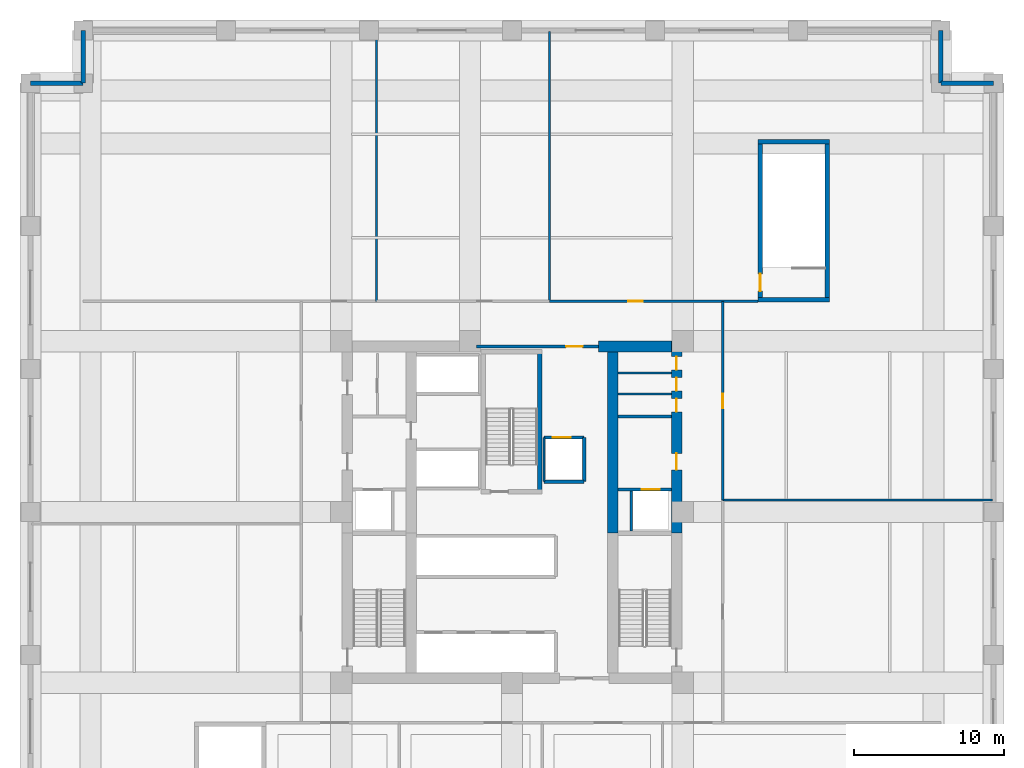
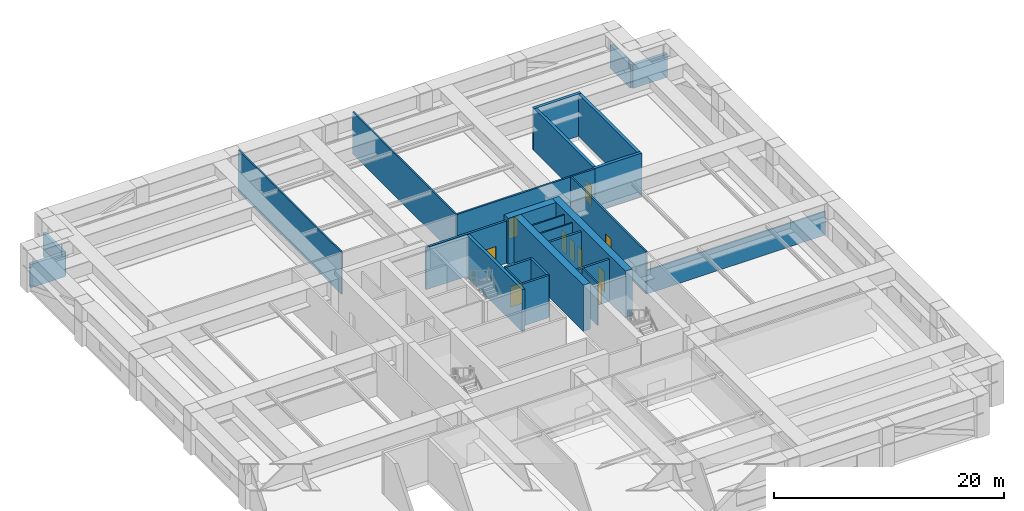
# One storey, part 4 of 8: 27 walls, 10 doors, 10 openings.
"""IFC4 building model written with IfcOpenShell, lengths in metres."""

from ifc_helpers import new_model, si_unit, direction, frame, frame_2d, origin, place, context, subcontext, project, spatial, rectangle, extrude, material, layer, layer_set, type_object, element, fill, save


model = new_model("IFC4")

# Units and contexts
model_context = context("Model", 3, precision=1e-05, world=origin(), true_north=direction((0.0, 1.0)))
body_context = subcontext(model_context, "Body", "Model", "MODEL_VIEW")
ifc_project = project(units=[si_unit("LENGTHUNIT", "METRE"), si_unit("AREAUNIT", "SQUARE_METRE"), si_unit("VOLUMEUNIT", "CUBIC_METRE"), si_unit("PLANEANGLEUNIT", "RADIAN"), si_unit("MASSUNIT", "GRAM", prefix="KILO")], contexts=[model_context])

# Site, building, storey
site_placement = place(None, origin())
site = spatial("IfcSite", under=ifc_project, at=site_placement, CompositionType="ELEMENT")
building_placement = place(site_placement, origin())
building = spatial("IfcBuilding", under=site, at=building_placement, Name="Nhamokura Convention Tower", CompositionType="ELEMENT")
storey_placement = place(building_placement, frame((0.0, 0.0, 29.39990234375)))
storey = spatial("IfcBuildingStorey", under=building, at=storey_placement, Name="L05", CompositionType="ELEMENT", Elevation=29.39990234375)

# Walls
ifc_material_1 = material(Name="Moisture-resistant tile-backer partition", Category="masonry")
ifc_layer_1 = layer(ifc_material_1, 0.139892578125)
ifc_layer_set_1 = layer_set([ifc_layer_1], Name="BathroomWetWall_140")
wall_type_1 = type_object("IfcWallType", Name="BathroomWetWall_140", PredefinedType="STANDARD", material=ifc_layer_set_1)
for number, where, z_axis, x_axis, name in (
    (1, (39.06005859375, 39.85009765625, 0.0), (0.0, 0.0, 1.0), (1.0, 0.0, 0.0), "L05 Wall INT-L05-CWNE1"),
    (2, (39.06005859375, 41.25, 0.0), (0.0, 0.0, 1.0), (1.0, 0.0, 0.0), "L05 Wall INT-L05-CWNE2"),
):
    element("IfcWall", number, at=place(storey_placement, frame(where, z_axis=z_axis, x_axis=x_axis)), inside=storey, type_object=wall_type_1, Name=name, PredefinedType="STANDARD", context=body_context, shape_type="SweptSolid", body=[
        extrude(rectangle(XDim=3.530029296875, YDim=0.139892578125, at=frame_2d((1.76513671875, 0.0))), origin(), (0.0, 0.0, 1.0), 4.47998046875),
    ])
ifc_material_2 = material(Name="Bronze-pigmented precast concrete C45/55", Category="concrete")
ifc_layer_2 = layer(ifc_material_2, 0.320068359375)
ifc_layer_set_2 = layer_set([ifc_layer_2], Name="BronzePrecastSpandrel_320")
wall_type_2 = type_object("IfcWallType", Name="BronzePrecastSpandrel_320", PredefinedType="USERDEFINED", material=ifc_layer_set_2)
for number, where, z_axis, x_axis, name in (
    (3, (60.5, 60.5, 0.0), (0.0, 0.0, 1.0), (1.0, 0.0, 0.0), "L05 Notched Corner Wall NE1"),
    (4, (60.5, 64.0, 0.0), (0.0, 0.0, 1.0), (0.0, -1.0, 0.0), "L05 Notched Corner Wall NE2"),
    (5, (3.5, 60.5, 0.0), (0.0, 0.0, 1.0), (0.0, 1.0, 0.0), "L05 Notched Corner Wall NW1"),
    (6, (0.0, 60.5, 0.0), (0.0, 0.0, 1.0), (1.0, 0.0, 0.0), "L05 Notched Corner Wall NW2"),
):
    element("IfcWall", number, at=place(storey_placement, frame(where, z_axis=z_axis, x_axis=x_axis)), inside=storey, type_object=wall_type_2, Name=name, ObjectType="SPANDREL_WALL", PredefinedType="USERDEFINED", context=body_context, shape_type="SweptSolid", body=[
        extrude(rectangle(XDim=3.5, YDim=0.320068359375, at=frame_2d((1.75, 0.0))), origin(), (0.0, 0.0, 1.0), 2.47998046875),
    ])

# Wall, openings, doors
ifc_material_3 = material(Name="Concrete C70/85", Category="concrete")
ifc_layer_3 = layer(ifc_material_3, 0.699951171875)
ifc_layer_set_3 = layer_set([ifc_layer_3], Name="CoreShearWall_700")
wall_type_3 = type_object("IfcWallType", Name="CoreShearWall_700", PredefinedType="SHEAR", material=ifc_layer_set_3)
wall_1_placement = place(storey_placement, frame((42.93994140625, 30.60009765625, 0.0), z_axis=(0.0, 0.0, 1.0), x_axis=(0.0, 1.0, 0.0)))
wall_1 = element("IfcWall", 7, at=wall_1_placement, inside=storey, type_object=wall_type_3, Name="L05 Core Shear Wall CW-EN", PredefinedType="SHEAR", context=body_context, shape_type="SweptSolid", body=[
    extrude(rectangle(XDim=12.75, YDim=0.699951171875, at=frame_2d((6.375, 0.0))), origin(), (0.0, 0.0, 1.0), 4.900146484375),
])
opening_1_placement = place(wall_1_placement, frame((4.199951171875, 0.0, 0.0)))
opening_1 = element("IfcOpeningElement", 8, at=opening_1_placement, cuts=wall_1, Name="Opening D-05", PredefinedType="OPENING", context=body_context, shape_type="SweptSolid", body=[
    extrude(rectangle(XDim=1.10009765625, YDim=2.14990234375, at=frame_2d((0.550048828125, 1.074951171875))), frame((0.0, 0.35986328125, 0.0), z_axis=(0.0, -1.0, 0.0), x_axis=(1.0, 0.0, 0.0)), (0.0, 0.0, 1.0), 0.719970703125),
])
opening_2_placement = place(wall_1_placement, frame((8.050048828125, 0.0, 0.0)))
opening_2 = element("IfcOpeningElement", 9, at=opening_2_placement, cuts=wall_1, Name="Opening D-11", PredefinedType="OPENING", context=body_context, shape_type="SweptSolid", body=[
    extrude(rectangle(XDim=0.8798828125, YDim=2.10009765625, at=frame_2d((0.43994140625, 1.050048828125))), frame((0.0, 0.35986328125, 0.0), z_axis=(0.0, -1.0, 0.0), x_axis=(1.0, 0.0, 0.0)), (0.0, 0.0, 1.0), 0.719970703125),
])
opening_3_placement = place(wall_1_placement, frame((9.449951171875, 0.0, 0.0)))
opening_3 = element("IfcOpeningElement", 10, at=opening_3_placement, cuts=wall_1, Name="Opening D-11", PredefinedType="OPENING", context=body_context, shape_type="SweptSolid", body=[
    extrude(rectangle(XDim=0.8798828125, YDim=2.10009765625, at=frame_2d((0.43994140625, 1.050048828125))), frame((0.0, 0.35986328125, 0.0), z_axis=(0.0, -1.0, 0.0), x_axis=(1.0, 0.0, 0.0)), (0.0, 0.0, 1.0), 0.719970703125),
])
opening_4_placement = place(wall_1_placement, frame((10.85009765625, 0.0, 0.0)))
opening_4 = element("IfcOpeningElement", 11, at=opening_4_placement, cuts=wall_1, Name="Opening D-11", PredefinedType="OPENING", context=body_context, shape_type="SweptSolid", body=[
    extrude(rectangle(XDim=0.8798828125, YDim=2.10009765625, at=frame_2d((0.43994140625, 1.050048828125))), frame((0.0, 0.35986328125, 0.0), z_axis=(0.0, -1.0, 0.0), x_axis=(1.0, 0.0, 0.0)), (0.0, 0.0, 1.0), 0.719970703125),
])
ifc_material_4 = material(Name="Solid oak hardwood", Category="wood")
door_type_1 = type_object("IfcDoorType", Name="BathroomDoor_880", OperationType="NOTDEFINED", PredefinedType="DOOR", material=ifc_material_4)
door_1_placement = place(opening_2_placement, origin())
door_1 = element("IfcDoor", 12, at=door_1_placement, inside=storey, type_object=door_type_1, Name="L05 Core Door INT-L05-D-MWC", OperationType="SINGLE_SWING_LEFT", OverallHeight=2.10009765625, OverallWidth=0.8798828125, PredefinedType="DOOR", context=body_context, shape_type="SweptSolid", body=[
    extrude(rectangle(XDim=0.8798828125, YDim=2.10009765625, at=frame_2d((0.43994140625, 1.050048828125))), frame((0.0, 0.02490234375, 0.0), z_axis=(0.0, -1.0, 0.0), x_axis=(1.0, 0.0, 0.0)), (0.0, 0.0, 1.0), 0.050048828125),
])
fill(opening_2, door_1)
door_2_placement = place(opening_3_placement, origin())
door_2 = element("IfcDoor", 13, at=door_2_placement, inside=storey, type_object=door_type_1, Name="L05 Core Door INT-L05-D-FWC", OperationType="SINGLE_SWING_RIGHT", OverallHeight=2.10009765625, OverallWidth=0.8798828125, PredefinedType="DOOR", context=body_context, shape_type="SweptSolid", body=[
    extrude(rectangle(XDim=0.8798828125, YDim=2.10009765625, at=frame_2d((0.43994140625, 1.050048828125))), frame((0.0, 0.02490234375, 0.0), z_axis=(0.0, -1.0, 0.0), x_axis=(1.0, 0.0, 0.0)), (0.0, 0.0, 1.0), 0.050048828125),
])
fill(opening_3, door_2)
door_3_placement = place(opening_4_placement, origin())
door_3 = element("IfcDoor", 14, at=door_3_placement, inside=storey, type_object=door_type_1, Name="L05 Core Door INT-L05-D-ARC", OperationType="SINGLE_SWING_LEFT", OverallHeight=2.10009765625, OverallWidth=0.8798828125, PredefinedType="DOOR", context=body_context, shape_type="SweptSolid", body=[
    extrude(rectangle(XDim=0.8798828125, YDim=2.10009765625, at=frame_2d((0.43994140625, 1.050048828125))), frame((0.0, 0.02490234375, 0.0), z_axis=(0.0, -1.0, 0.0), x_axis=(1.0, 0.0, 0.0)), (0.0, 0.0, 1.0), 0.050048828125),
])
fill(opening_4, door_3)
ifc_material_5 = material(Name="Fire-rated steel door", Category="steel")
door_type_2 = type_object("IfcDoorType", Name="FireLobbyDoor_1100", OperationType="NOTDEFINED", PredefinedType="DOOR", material=ifc_material_5)
door_4_placement = place(opening_1_placement, origin())
door_4 = element("IfcDoor", 15, at=door_4_placement, inside=storey, type_object=door_type_2, Name="L05 Core Door INT-L05-D-FFLE", OperationType="SINGLE_SWING_LEFT", OverallHeight=2.14990234375, OverallWidth=1.10009765625, PredefinedType="DOOR", context=body_context, shape_type="SweptSolid", body=[
    extrude(rectangle(XDim=1.10009765625, YDim=2.14990234375, at=frame_2d((0.550048828125, 1.074951171875))), frame((0.0, 0.02490234375, 0.0), z_axis=(0.0, -1.0, 0.0), x_axis=(1.0, 0.0, 0.0)), (0.0, 0.0, 1.0), 0.050048828125),
])
fill(opening_1, door_4)

# Walls
wall_2_placement = place(storey_placement, frame((37.75, 43.0, 0.0), z_axis=(0.0, 0.0, 1.0), x_axis=(1.0, 0.0, 0.0)))
element("IfcWall", 16, at=wall_2_placement, inside=storey, type_object=wall_type_3, Name="L05 Core Shear Wall CW-N2", PredefinedType="SHEAR", context=body_context, shape_type="SweptSolid", body=[
    extrude(rectangle(XDim=4.840087890625, YDim=0.699951171875, at=frame_2d((2.419921875, 0.0))), origin(), (0.0, 0.0, 1.0), 4.900146484375),
])
wall_3_placement = place(storey_placement, frame((38.7099609375, 30.60009765625, 0.0), z_axis=(0.0, 0.0, 1.0), x_axis=(0.0, 1.0, 0.0)))
element("IfcWall", 17, at=wall_3_placement, inside=storey, type_object=wall_type_3, Name="L05 Core Shear Wall CW-IEN", PredefinedType="SHEAR", context=body_context, shape_type="SweptSolid", body=[
    extrude(rectangle(XDim=12.0498046875, YDim=0.699951171875, at=frame_2d((6.02490234375, 0.0))), origin(), (0.0, 0.0, 1.0), 4.900146484375),
])

# Wall, opening, door
ifc_material_6 = material(Name="Fire-rated gypsum and masonry partition", Category="masonry")
ifc_layer_4 = layer(ifc_material_6, 0.179931640625)
ifc_layer_set_4 = layer_set([ifc_layer_4], Name="CorridorRatedWall_180")
wall_type_4 = type_object("IfcWallType", Name="CorridorRatedWall_180", PredefinedType="STANDARD", material=ifc_layer_set_4)
wall_4_placement = place(storey_placement, frame((34.5, 46.0, 0.0), z_axis=(0.0, 0.0, 1.0), x_axis=(1.0, 0.0, 0.0)))
wall_4 = element("IfcWall", 18, at=wall_4_placement, inside=storey, type_object=wall_type_4, Name="L05 Wall INT-L05-CW-N02", PredefinedType="STANDARD", context=body_context, shape_type="SweptSolid", body=[
    extrude(rectangle(XDim=13.85009765625, YDim=0.179931640625, at=frame_2d((6.925048828125, 0.0))), origin(), (0.0, 0.0, 1.0), 4.47998046875),
])
opening_5_placement = place(wall_4_placement, frame((5.22509765625, 0.0, 0.0)))
opening_5 = element("IfcOpeningElement", 19, at=opening_5_placement, cuts=wall_4, Name="Opening D-09", PredefinedType="OPENING", context=body_context, shape_type="SweptSolid", body=[
    extrude(rectangle(XDim=0.949951171875, YDim=2.14990234375, at=frame_2d((0.47509765625, 1.074951171875))), frame((0.0, 0.099853515625, 0.0), z_axis=(0.0, -1.0, 0.0), x_axis=(1.0, 0.0, 0.0)), (0.0, 0.0, 1.0), 0.199951171875),
])
ifc_material_7 = material(Name="Solid oak hardwood", Category="wood")
door_type_3 = type_object("IfcDoorType", Name="MeetingRoomDoor_950", OperationType="NOTDEFINED", PredefinedType="DOOR", material=ifc_material_7)
door_5_placement = place(opening_5_placement, origin())
door_5 = element("IfcDoor", 20, at=door_5_placement, inside=storey, type_object=door_type_3, Name="L05 Translation Office N03 Door", OperationType="SINGLE_SWING_LEFT", OverallHeight=2.14990234375, OverallWidth=0.949951171875, PredefinedType="DOOR", context=body_context, shape_type="SweptSolid", body=[
    extrude(rectangle(XDim=0.949951171875, YDim=2.14990234375, at=frame_2d((0.47509765625, 1.074951171875))), frame((0.0, 0.02490234375, 0.0), z_axis=(0.0, -1.0, 0.0), x_axis=(1.0, 0.0, 0.0)), (0.0, 0.0, 1.0), 0.050048828125),
])
fill(opening_5, door_5)

wall_5_placement = place(storey_placement, frame((46.0, 32.800048828125, 0.0), z_axis=(0.0, 0.0, 1.0), x_axis=(0.0, 1.0, 0.0)))
wall_5 = element("IfcWall", 21, at=wall_5_placement, inside=storey, type_object=wall_type_4, Name="L05 Wall INT-L05-CW-E01", PredefinedType="STANDARD", context=body_context, shape_type="SweptSolid", body=[
    extrude(rectangle(XDim=13.199951171875, YDim=0.179931640625, at=frame_2d((6.60009765625, 0.0))), origin(), (0.0, 0.0, 1.0), 4.47998046875),
])
opening_6_placement = place(wall_5_placement, frame((6.10009765625, 0.0, 0.0)))
opening_6 = element("IfcOpeningElement", 22, at=opening_6_placement, cuts=wall_5, Name="Opening D-09", PredefinedType="OPENING", context=body_context, shape_type="SweptSolid", body=[
    extrude(rectangle(XDim=0.949951171875, YDim=2.14990234375, at=frame_2d((0.47509765625, 1.074951171875))), frame((0.0, 0.099853515625, 0.0), z_axis=(0.0, -1.0, 0.0), x_axis=(1.0, 0.0, 0.0)), (0.0, 0.0, 1.0), 0.199951171875),
])
door_6_placement = place(opening_6_placement, origin())
door_6 = element("IfcDoor", 23, at=door_6_placement, inside=storey, type_object=door_type_3, Name="L05 Private Office E02 Door", OperationType="SINGLE_SWING_RIGHT", OverallHeight=2.14990234375, OverallWidth=0.949951171875, PredefinedType="DOOR", context=body_context, shape_type="SweptSolid", body=[
    extrude(rectangle(XDim=0.949951171875, YDim=2.14990234375, at=frame_2d((0.47509765625, 1.074951171875))), frame((0.0, 0.02490234375, 0.0), z_axis=(0.0, -1.0, 0.0), x_axis=(1.0, 0.0, 0.0)), (0.0, 0.0, 1.0), 0.050048828125),
])
fill(opening_6, door_6)

ifc_material_8 = material(Name="Autoclaved concrete blockwork", Category="masonry")
ifc_layer_5 = layer(ifc_material_8, 0.219970703125)
ifc_layer_set_5 = layer_set([ifc_layer_5], Name="FireLobbyWall_220")
wall_type_5 = type_object("IfcWallType", Name="FireLobbyWall_220", PredefinedType="STANDARD", material=ifc_layer_set_5)
wall_6_placement = place(storey_placement, frame((39.06005859375, 33.5, 0.0), z_axis=(0.0, 0.0, 1.0), x_axis=(1.0, 0.0, 0.0)))
wall_6 = element("IfcWall", 24, at=wall_6_placement, inside=storey, type_object=wall_type_5, Name="L05 Wall INT-L05-FFE-S", PredefinedType="STANDARD", context=body_context, shape_type="SweptSolid", body=[
    extrude(rectangle(XDim=3.530029296875, YDim=0.219970703125, at=frame_2d((1.76513671875, 0.0))), origin(), (0.0, 0.0, 1.0), 4.47998046875),
])
opening_7_placement = place(wall_6_placement, frame((1.550048828125, 0.0, 0.0)))
opening_7 = element("IfcOpeningElement", 25, at=opening_7_placement, cuts=wall_6, Name="Opening LD-02", PredefinedType="OPENING", context=body_context, shape_type="SweptSolid", body=[
    extrude(rectangle(XDim=1.199951171875, YDim=2.199951171875, at=frame_2d((0.60009765625, 1.10009765625))), frame((0.0, 0.119873046875, 0.0), z_axis=(0.0, -1.0, 0.0), x_axis=(1.0, 0.0, 0.0)), (0.0, 0.0, 1.0), 0.239990234375),
])
ifc_material_9 = material(Name="Anodised bronze stainless steel", Category="steel")
door_type_4 = type_object("IfcDoorType", Name="LiftLandingDoor_FireService", OperationType="DOUBLE_DOOR_SLIDING", PredefinedType="DOOR", material=ifc_material_9)
door_7_placement = place(opening_7_placement, origin())
door_7 = element("IfcDoor", 26, at=door_7_placement, inside=storey, type_object=door_type_4, Name="L05 Firefighting Lift LF-02 Door", OperationType="DOUBLE_DOOR_SLIDING", OverallHeight=2.199951171875, OverallWidth=1.199951171875, PredefinedType="DOOR", context=body_context, shape_type="SweptSolid", body=[
    extrude(rectangle(XDim=1.199951171875, YDim=2.199951171875, at=frame_2d((0.60009765625, 1.10009765625))), frame((0.0, 0.02490234375, 0.0), z_axis=(0.0, -1.0, 0.0), x_axis=(1.0, 0.0, 0.0)), (0.0, 0.0, 1.0), 0.050048828125),
])
fill(opening_7, door_7)

# Wall
wall_7_placement = place(storey_placement, frame((39.06005859375, 38.35009765625, 0.0), z_axis=(0.0, 0.0, 1.0), x_axis=(1.0, 0.0, 0.0)))
element("IfcWall", 27, at=wall_7_placement, inside=storey, type_object=wall_type_5, Name="L05 Wall INT-L05-FFE-N", PredefinedType="STANDARD", context=body_context, shape_type="SweptSolid", body=[
    extrude(rectangle(XDim=3.530029296875, YDim=0.219970703125, at=frame_2d((1.76513671875, 0.0))), origin(), (0.0, 0.0, 1.0), 4.47998046875),
])

# Wall, opening, door
wall_8_placement = place(storey_placement, frame((29.64990234375, 43.0, 0.0), z_axis=(0.0, 0.0, 1.0), x_axis=(1.0, 0.0, 0.0)))
wall_8 = element("IfcWall", 28, at=wall_8_placement, inside=storey, type_object=wall_type_5, Name="L05 Wall INT-L05-CPORT-N", PredefinedType="STANDARD", context=body_context, shape_type="SweptSolid", body=[
    extrude(rectangle(XDim=8.10009765625, YDim=0.219970703125, at=frame_2d((4.050048828125, 0.0))), origin(), (0.0, 0.0, 1.0), 4.47998046875),
])
opening_8_placement = place(wall_8_placement, frame((5.949951171875, 0.0, 0.0)))
opening_8 = element("IfcOpeningElement", 29, at=opening_8_placement, cuts=wall_8, Name="Opening D-05", PredefinedType="OPENING", context=body_context, shape_type="SweptSolid", body=[
    extrude(rectangle(XDim=1.10009765625, YDim=2.14990234375, at=frame_2d((0.550048828125, 1.074951171875))), frame((0.0, 0.119873046875, 0.0), z_axis=(0.0, -1.0, 0.0), x_axis=(1.0, 0.0, 0.0)), (0.0, 0.0, 1.0), 0.239990234375),
])
door_8_placement = place(opening_8_placement, origin())
door_8 = element("IfcDoor", 30, at=door_8_placement, inside=storey, type_object=door_type_2, Name="L05 North Core Lobby Portal Door", OperationType="SINGLE_SWING_RIGHT", OverallHeight=2.14990234375, OverallWidth=1.10009765625, PredefinedType="DOOR", context=body_context, shape_type="SweptSolid", body=[
    extrude(rectangle(XDim=1.10009765625, YDim=2.14990234375, at=frame_2d((0.550048828125, 1.074951171875))), frame((0.0, 0.02490234375, 0.0), z_axis=(0.0, -1.0, 0.0), x_axis=(1.0, 0.0, 0.0)), (0.0, 0.0, 1.0), 0.050048828125),
])
fill(opening_8, door_8)

wall_9_placement = place(storey_placement, frame((34.1201171875, 36.949951171875, 0.0), z_axis=(0.0, 0.0, 1.0), x_axis=(1.0, 0.0, 0.0)))
wall_9 = element("IfcWall", 31, at=wall_9_placement, inside=storey, type_object=wall_type_5, Name="L05 Wall INT-L05-LSN", PredefinedType="STANDARD", context=body_context, shape_type="SweptSolid", body=[
    extrude(rectangle(XDim=2.679931640625, YDim=0.219970703125, at=frame_2d((1.33984375, 0.0))), origin(), (0.0, 0.0, 1.0), 4.47998046875),
])
opening_9_placement = place(wall_9_placement, frame((0.580078125, 0.0, 0.0)))
opening_9 = element("IfcOpeningElement", 32, at=opening_9_placement, cuts=wall_9, Name="Opening LD-02", PredefinedType="OPENING", context=body_context, shape_type="SweptSolid", body=[
    extrude(rectangle(XDim=1.199951171875, YDim=2.199951171875, at=frame_2d((0.60009765625, 1.10009765625))), frame((0.0, 0.119873046875, 0.0), z_axis=(0.0, -1.0, 0.0), x_axis=(1.0, 0.0, 0.0)), (0.0, 0.0, 1.0), 0.239990234375),
])
door_9_placement = place(opening_9_placement, origin())
door_9 = element("IfcDoor", 33, at=door_9_placement, inside=storey, type_object=door_type_4, Name="L05 Service Lift LS-01 Door", OperationType="DOUBLE_DOOR_SLIDING", OverallHeight=2.199951171875, OverallWidth=1.199951171875, PredefinedType="DOOR", context=body_context, shape_type="SweptSolid", body=[
    extrude(rectangle(XDim=1.199951171875, YDim=2.199951171875, at=frame_2d((0.60009765625, 1.10009765625))), frame((0.0, 0.02490234375, 0.0), z_axis=(0.0, -1.0, 0.0), x_axis=(1.0, 0.0, 0.0)), (0.0, 0.0, 1.0), 0.050048828125),
])
fill(opening_9, door_9)

# Walls
wall_10_placement = place(storey_placement, frame((36.800048828125, 34.02001953125, 0.0), z_axis=(0.0, 0.0, 1.0), x_axis=(0.0, 1.0, 0.0)))
element("IfcWall", 34, at=wall_10_placement, inside=storey, type_object=wall_type_5, Name="L05 Wall INT-L05-LSE", PredefinedType="STANDARD", context=body_context, shape_type="SweptSolid", body=[
    extrude(rectangle(XDim=2.929931640625, YDim=0.219970703125, at=frame_2d((1.46484375, 0.0))), origin(), (0.0, 0.0, 1.0), 4.47998046875),
])
wall_11_placement = place(storey_placement, frame((34.1201171875, 34.02001953125, 0.0), z_axis=(0.0, 0.0, 1.0), x_axis=(1.0, 0.0, 0.0)))
element("IfcWall", 35, at=wall_11_placement, inside=storey, type_object=wall_type_5, Name="L05 Wall INT-L05-LSS", PredefinedType="STANDARD", context=body_context, shape_type="SweptSolid", body=[
    extrude(rectangle(XDim=2.679931640625, YDim=0.219970703125, at=frame_2d((1.33984375, 0.0))), origin(), (0.0, 0.0, 1.0), 4.47998046875),
])
ifc_material_10 = material(Name="Acoustic gypsum stud partition", Category="masonry")
ifc_layer_6 = layer(ifc_material_10, 0.14990234375)
ifc_layer_set_6 = layer_set([ifc_layer_6], Name="InteriorPartition_150")
wall_type_6 = type_object("IfcWallType", Name="InteriorPartition_150", PredefinedType="STANDARD", material=ifc_layer_set_6)
wall_12_placement = place(storey_placement, frame((39.919921875, 30.75, 0.0), z_axis=(0.0, 0.0, 1.0), x_axis=(0.0, 1.0, 0.0)))
element("IfcWall", 36, at=wall_12_placement, inside=storey, type_object=wall_type_6, Name="L05 Wall INT-L05-FF2-W", PredefinedType="STANDARD", context=body_context, shape_type="SweptSolid", body=[
    extrude(rectangle(XDim=2.64990234375, YDim=0.14990234375, at=frame_2d((1.324951171875, 0.0))), origin(), (0.0, 0.0, 1.0), 4.47998046875),
])
wall_13_placement = place(storey_placement, frame((34.1201171875, 34.02001953125, 0.0), z_axis=(0.0, 0.0, 1.0), x_axis=(0.0, 1.0, 0.0)))
element("IfcWall", 37, at=wall_13_placement, inside=storey, type_object=wall_type_6, Name="L05 Wall INT-L05-LSW", PredefinedType="STANDARD", context=body_context, shape_type="SweptSolid", body=[
    extrude(rectangle(XDim=2.929931640625, YDim=0.14990234375, at=frame_2d((1.46484375, 0.0))), origin(), (0.0, 0.0, 1.0), 4.47998046875),
])
for number, where, z_axis, x_axis, name in (
    (38, (23.0, 46.0, 0.0), (0.0, 0.0, 1.0), (0.0, 1.0, 0.0), "L05 Wall INT-L05-RW-N01"),
    (39, (34.5, 46.0, 0.0), (0.0, 0.0, 1.0), (0.0, 1.0, 0.0), "L05 Wall INT-L05-RW-N02"),
):
    element("IfcWall", number, at=place(storey_placement, frame(where, z_axis=z_axis, x_axis=x_axis)), inside=storey, type_object=wall_type_6, Name=name, PredefinedType="STANDARD", context=body_context, shape_type="SweptSolid", body=[
        extrude(rectangle(XDim=17.93994140625, YDim=0.14990234375, at=frame_2d((8.969970703125, 0.0))), origin(), (0.0, 0.0, 1.0), 4.47998046875),
    ])
wall_14_placement = place(storey_placement, frame((46.0, 32.800048828125, 0.0), z_axis=(0.0, 0.0, 1.0), x_axis=(1.0, 0.0, 0.0)))
element("IfcWall", 40, at=wall_14_placement, inside=storey, type_object=wall_type_6, Name="L05 Wall INT-L05-RW-E01", PredefinedType="STANDARD", context=body_context, shape_type="SweptSolid", body=[
    extrude(rectangle(XDim=17.93994140625, YDim=0.14990234375, at=frame_2d((8.969970703125, 0.0))), origin(), (0.0, 0.0, 1.0), 2.508056640625),
])
ifc_material_11 = material(Name="Concrete C50/60", Category="concrete")
ifc_layer_7 = layer(ifc_material_11, 0.300048828125)
ifc_layer_set_7 = layer_set([ifc_layer_7], Name="ShaftEnclosureWall_300")
wall_type_7 = type_object("IfcWallType", Name="ShaftEnclosureWall_300", PredefinedType="SHEAR", material=ifc_layer_set_7)
wall_15_placement = place(storey_placement, frame((33.85009765625, 33.199951171875, 0.0), z_axis=(0.0, 0.0, 1.0), x_axis=(0.0, 1.0, 0.0)))
element("IfcWall", 41, at=wall_15_placement, inside=storey, type_object=wall_type_7, Name="L05 Wall INT-L05-ST03E", PredefinedType="SHEAR", context=body_context, shape_type="SweptSolid", body=[
    extrude(rectangle(XDim=9.60009765625, YDim=0.300048828125, at=frame_2d((4.800048828125, 0.0))), origin(), (0.0, 0.0, 1.0), 4.47998046875),
])

# Wall, opening, door
wall_16_placement = place(storey_placement, frame((48.5, 46.10009765625, 0.0), z_axis=(0.0, 0.0, 1.0), x_axis=(0.0, 1.0, 0.0)))
wall_16 = element("IfcWall", 42, at=wall_16_placement, inside=storey, type_object=wall_type_7, Name="L05 Wall INT-L05-ST05-W", PredefinedType="SHEAR", context=body_context, shape_type="SweptSolid", body=[
    extrude(rectangle(XDim=10.5, YDim=0.300048828125, at=frame_2d((5.25, 0.0))), origin(), (0.0, 0.0, 1.0), 4.47998046875),
])
opening_10_placement = place(wall_16_placement, frame((0.580078125, 0.0, 0.0)))
opening_10 = element("IfcOpeningElement", 43, at=opening_10_placement, cuts=wall_16, Name="Opening D-04", PredefinedType="OPENING", context=body_context, shape_type="SweptSolid", body=[
    extrude(rectangle(XDim=1.14990234375, YDim=2.14990234375, at=frame_2d((0.574951171875, 1.074951171875))), frame((0.0, 0.159912109375, 0.0), z_axis=(0.0, -1.0, 0.0), x_axis=(1.0, 0.0, 0.0)), (0.0, 0.0, 1.0), 0.320068359375),
])
ifc_material_12 = material(Name="Fire-rated steel door", Category="steel")
door_type_5 = type_object("IfcDoorType", Name="StairSmokeDoor_1150", OperationType="NOTDEFINED", PredefinedType="DOOR", material=ifc_material_12)
door_10_placement = place(opening_10_placement, origin())
door_10 = element("IfcDoor", 44, at=door_10_placement, inside=storey, type_object=door_type_5, Name="L05 Stair ST-05 Smoke Door", OperationType="SINGLE_SWING_LEFT", OverallHeight=2.14990234375, OverallWidth=1.14990234375, PredefinedType="DOOR", context=body_context, shape_type="SweptSolid", body=[
    extrude(rectangle(XDim=1.14990234375, YDim=2.14990234375, at=frame_2d((0.574951171875, 1.074951171875))), frame((0.0, 0.02490234375, 0.0), z_axis=(0.0, -1.0, 0.0), x_axis=(1.0, 0.0, 0.0)), (0.0, 0.0, 1.0), 0.050048828125),
])
fill(opening_10, door_10)

# Walls
wall_17_placement = place(storey_placement, frame((52.949951171875, 46.10009765625, 0.0), z_axis=(0.0, 0.0, 1.0), x_axis=(0.0, 1.0, 0.0)))
element("IfcWall", 45, at=wall_17_placement, inside=storey, type_object=wall_type_7, Name="L05 Wall INT-L05-ST05-E", PredefinedType="SHEAR", context=body_context, shape_type="SweptSolid", body=[
    extrude(rectangle(XDim=10.5, YDim=0.300048828125, at=frame_2d((5.25, 0.0))), origin(), (0.0, 0.0, 1.0), 4.47998046875),
])
for number, where, z_axis, x_axis, name in (
    (46, (48.35009765625, 46.10009765625, 0.0), (0.0, 0.0, 1.0), (1.0, 0.0, 0.0), "L05 Wall INT-L05-ST05-S"),
    (47, (48.35009765625, 56.60009765625, 0.0), (0.0, 0.0, 1.0), (1.0, 0.0, 0.0), "L05 Wall INT-L05-ST05-N"),
):
    element("IfcWall", number, at=place(storey_placement, frame(where, z_axis=z_axis, x_axis=x_axis)), inside=storey, type_object=wall_type_7, Name=name, PredefinedType="SHEAR", context=body_context, shape_type="SweptSolid", body=[
        extrude(rectangle(XDim=4.75, YDim=0.300048828125, at=frame_2d((2.375, 0.0))), origin(), (0.0, 0.0, 1.0), 4.47998046875),
    ])

save(model, "model.ifc")
